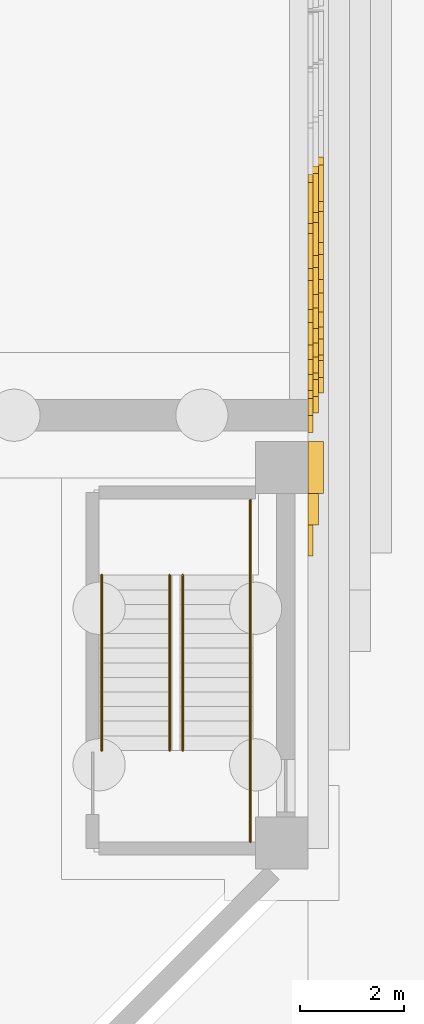
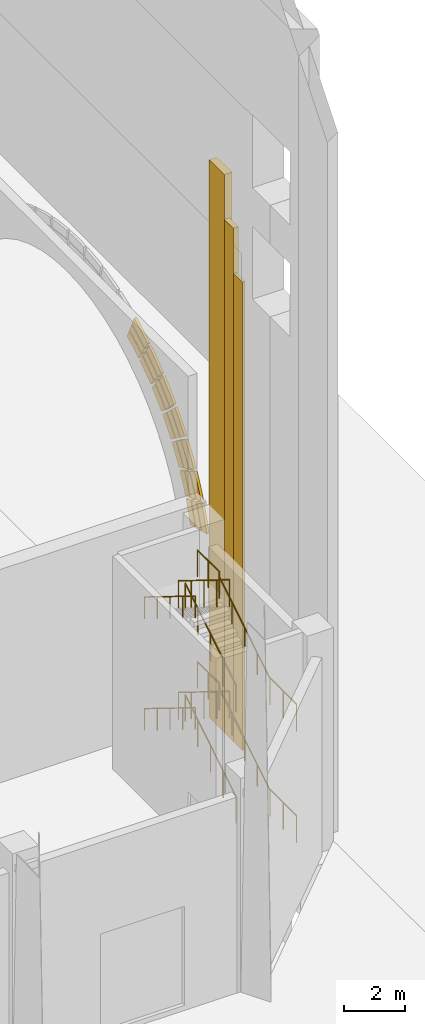
# One storey, part 24 of 32: 24 coverings, 12 railings.
"""IFC4 building model written with IfcOpenShell, lengths in metres."""

from ifc_helpers import new_model, si_unit, direction, frame, origin, origin_2d, place, context, subcontext, project, spatial, polyline, rectangle, circle, outline, extrude, material, type_object, element, save


model = new_model("IFC4")

# Units and contexts
model_context = context("Model", 3, precision=1e-05, world=origin(), true_north=direction((0.0, 1.0)))
body_context = subcontext(model_context, "Body", "Model", "MODEL_VIEW")
ifc_project = project(units=[si_unit("LENGTHUNIT", "METRE"), si_unit("AREAUNIT", "SQUARE_METRE"), si_unit("VOLUMEUNIT", "CUBIC_METRE"), si_unit("PLANEANGLEUNIT", "RADIAN"), si_unit("MASSUNIT", "GRAM", prefix="KILO")], contexts=[model_context])

# Site, building, storey
site_placement = place(None, origin())
site = spatial("IfcSite", under=ifc_project, at=site_placement, CompositionType="ELEMENT")
building_placement = place(site_placement, origin())
building = spatial("IfcBuilding", under=site, at=building_placement, Name="Isthmus Gate Tower", CompositionType="ELEMENT")
storey_placement = place(building_placement, origin())
storey = spatial("IfcBuildingStorey", under=building, at=storey_placement, Name="L00", CompositionType="ELEMENT", Elevation=0.0)

# Coverings
ifc_material_1 = material(Name="Precast concrete C50/60, limestone-faced", Category="masonry")
covering_type_1 = type_object("IfcCoveringType", Name="ARCHIVOLT BAND 350 X 100", PredefinedType="CLADDING", material=ifc_material_1)
covering_1_placement = place(storey_placement, frame((52.10009765625, -26.293701171875, 7.206298828125), z_axis=(1.0, 0.0, 0.0), x_axis=(0.0, 0.266661345586, 0.963790291905)))
element("IfcCovering", 1, at=covering_1_placement, inside=storey, type_object=covering_type_1, Name="ARCHIVOLT BAND", PredefinedType="CLADDING", context=body_context, shape_type="SweptSolid", body=[
    extrude(outline(polyline([(0.0, 0.0), (0.25635277152634467, 1.3877787807814457e-17), (0.512475822934247, -0.007409636370976164), (0.7684342570912814, -0.0224642094771631), (1.0237574732689791, -0.04529392505371038), (1.0602076387831374, 0.3027106634444202), (0.7944958650224343, 0.3264657697814948), (0.5279786757857345, 0.3421453304163997), (0.26129686929816714, 0.35017995431609383), (-0.005589546201778178, 0.34979863752029866), (0.0, 0.0)])), origin(), (0.0, 0.0, -1.0), 0.10009765625),
])
covering_2_placement = place(storey_placement, frame((52.10009765625, -25.940673828125, 8.27197265625), z_axis=(1.0, 0.0, 0.0), x_axis=(0.0, 0.389085218995, 0.921201765282)))
element("IfcCovering", 2, at=covering_2_placement, inside=storey, type_object=covering_type_1, Name="ARCHIVOLT BAND", PredefinedType="CLADDING", context=body_context, shape_type="SweptSolid", body=[
    extrude(outline(polyline([(0.0, 0.0), (0.24408715234722822, 0.0), (0.48817015339459724, -0.00689237873688725), (0.7317991975926528, -0.020867119227749475), (0.975104196207578, -0.041604327189315615), (1.0097931904137258, 0.3067124410531946), (0.7565868532462914, 0.3283031074269988), (0.5029265592295437, 0.3428114120468282), (0.24913220264675318, 0.35010744364649937), (-0.005021119276806943, 0.35009621071746844), (0.0, 0.0)])), origin(), (0.0, 0.0, -1.0), 0.10009765625),
])
covering_3_placement = place(storey_placement, frame((52.10009765625, -25.4755859375, 9.23974609375), z_axis=(1.0, 0.0, 0.0), x_axis=(0.0, 0.501193999624, 0.865334949451)))
element("IfcCovering", 3, at=covering_3_placement, inside=storey, type_object=covering_type_1, Name="ARCHIVOLT BAND", PredefinedType="CLADDING", context=body_context, shape_type="SweptSolid", body=[
    extrude(outline(polyline([(0.0, 0.0), (0.24404612428869768, 0.0), (0.4881936061697516, -0.006994650813233472), (0.7317751951797464, -0.020806149241542837), (0.9750356149513111, -0.041857022115714626), (1.009978828092515, 0.30650389387445703), (0.7567211304223476, 0.3282535235479815), (0.5029310000983567, 0.3426414169593291), (0.24903096395132884, 0.34991229774112875), (-0.004856616202421421, 0.34985490247798723), (0.0, 0.0)])), origin(), (0.0, 0.0, -1.0), 0.10009765625),
])
covering_4_placement = place(storey_placement, frame((52.10009765625, -24.89306640625, 10.1416015625), z_axis=(1.0, 0.0, 0.0), x_axis=(0.0, 0.605742008845, 0.795661120529)))
element("IfcCovering", 4, at=covering_4_placement, inside=storey, type_object=covering_type_1, Name="ARCHIVOLT BAND", PredefinedType="CLADDING", context=body_context, shape_type="SweptSolid", body=[
    extrude(outline(polyline([(0.0, 0.0), (0.24424460676285004, 0.0), (0.48809826675231693, -0.006741269455640769), (0.7318567524336569, -0.020612314773430396), (0.9750300381383595, -0.04137251577948886), (1.0098770128939623, 0.3070318299442861), (0.7566889496074254, 0.32845239422673334), (0.5030635725768794, 0.3427895496176578), (0.24900088180232438, 0.35004329611705925), (-0.005009097047729588, 0.34997301355105775), (0.0, 0.0)])), origin(), (0.0, 0.0, -1.0), 0.10009765625),
])
covering_5_placement = place(storey_placement, frame((52.10009765625, -24.2021484375, 10.963623046875), z_axis=(1.0, 0.0, 0.0), x_axis=(0.0, 0.700071410926, 0.714072839145)))
element("IfcCovering", 5, at=covering_5_placement, inside=storey, type_object=covering_type_1, Name="ARCHIVOLT BAND", PredefinedType="CLADDING", context=body_context, shape_type="SweptSolid", body=[
    extrude(outline(polyline([(0.0, 0.0), (0.2441157213861009, -1.3877787807814457e-17), (0.48816307642347856, -0.006905001221048063), (0.7319677309228887, -0.020885919534952224), (0.9750135189514708, -0.04176500243503212), (1.0100546909895716, 0.30645215815195814), (0.7568325719535339, 0.3282952065690359), (0.5030190840010403, 0.3427205061496412), (0.24930814557163158, 0.3500664703199542), (-0.004819827584988945, 0.3501656015256029), (0.0, 0.0)])), origin(), (0.0, 0.0, -1.0), 0.10009765625),
])
covering_6_placement = place(storey_placement, frame((52.10009765625, -23.4140625, 11.69287109375), z_axis=(1.0, 0.0, 0.0), x_axis=(0.0, 0.783883601927, 0.620907802037)))
element("IfcCovering", 6, at=covering_6_placement, inside=storey, type_object=covering_type_1, Name="ARCHIVOLT BAND", PredefinedType="CLADDING", context=body_context, shape_type="SweptSolid", body=[
    extrude(outline(polyline([(0.0, 0.0), (0.24417687719128714, 0.0), (0.4881206347014019, -0.006978700068101473), (0.7318312725303443, -0.020936100204304475), (0.9749658240267559, -0.04191198942225399), (1.0098070860303305, 0.30641080020231704), (0.7566791453951589, 0.32813901911385124), (0.5031664962599584, 0.34269716012478213), (0.24911754980587228, 0.34989384540260815), (-0.004821549678027948, 0.35015161962597785), (0.0, 0.0)])), origin(), (0.0, 0.0, -1.0), 0.10009765625),
])
covering_7_placement = place(storey_placement, frame((52.10009765625, -22.541015625, 12.31787109375), z_axis=(1.0, 0.0, 0.0), x_axis=(0.0, 0.855278438455, 0.518168691368)))
element("IfcCovering", 7, at=covering_7_placement, inside=storey, type_object=covering_type_1, Name="ARCHIVOLT BAND", PredefinedType="CLADDING", context=body_context, shape_type="SweptSolid", body=[
    extrude(outline(polyline([(0.0, 0.0), (0.24406114428897085, -1.3877787807814457e-17), (0.4880917610614924, -0.007117795735325783), (0.7318830421050512, -0.021226881177811296), (0.9750173709946204, -0.042074244271124495), (1.0100903125331897, 0.3060512960715064), (0.7569529712736357, 0.32782083438172094), (0.5032409800444395, 0.34251678080042836), (0.2493719552706279, 0.34988612327129665), (-0.004862911260312436, 0.35005536782249175), (0.0, 0.0)])), origin(), (0.0, 0.0, -1.0), 0.10009765625),
])
ifc_material_2 = material(Name="Precast concrete C50/60, limestone-faced", Category="masonry")
covering_type_2 = type_object("IfcCoveringType", Name="ARCHIVOLT BAND 350 X 200", PredefinedType="CLADDING", material=ifc_material_2)
covering_8_placement = place(storey_placement, frame((52.199951171875, -25.916259765625, 7.108154296875), z_axis=(1.0, 0.0, 0.0), x_axis=(0.0, 0.26599308427, 0.963974936977)))
element("IfcCovering", 8, at=covering_8_placement, inside=storey, type_object=covering_type_2, Name="ARCHIVOLT BAND", PredefinedType="CLADDING", context=body_context, shape_type="SweptSolid", body=[
    extrude(outline(polyline([(0.0, 0.0), (0.2441469725737326, 0.0), (0.4882944334160204, -0.0073445356070566264), (0.7319067519218281, -0.02192814081325037), (0.9749839280911556, -0.043750815618581296), (1.0116104172210676, 0.304463763732549), (0.7579099820966324, 0.3271540917604394), (0.5037393443535563, 0.34237000474559465), (0.2493987891532766, 0.349941096962256), (-0.005111683504206585, 0.3498673684104234), (0.0, 0.0)])), origin(), (0.0, 0.0, -1.0), 0.199951171875),
])
covering_9_placement = place(storey_placement, frame((52.199951171875, -25.578369140625, 8.12744140625), z_axis=(1.0, 0.0, 0.0), x_axis=(0.0, 0.388574790746, 0.921417186728)))
element("IfcCovering", 9, at=covering_9_placement, inside=storey, type_object=covering_type_2, Name="ARCHIVOLT BAND", PredefinedType="CLADDING", context=body_context, shape_type="SweptSolid", body=[
    extrude(outline(polyline([(0.0, 0.0), (0.23184183012006357, 0.0), (0.46367569039280887, -0.006892375379179527), (0.6949920247735669, -0.020097126926250236), (0.9262055224147347, -0.03996929848464703), (0.9610874873918581, 0.3083281977413169), (0.7202929478149267, 0.3289292246915589), (0.47885079387042656, 0.3428980532137842), (0.23695075934290127, 0.3497847725722863), (-0.0048271565563607205, 0.35009893881173415), (0.0, 0.0)])), origin(), (0.0, 0.0, -1.0), 0.199951171875),
])
covering_10_placement = place(storey_placement, frame((52.199951171875, -25.13427734375, 9.051025390625), z_axis=(1.0, 0.0, 0.0), x_axis=(0.0, 0.501119266826, 0.865378229687)))
element("IfcCovering", 10, at=covering_10_placement, inside=storey, type_object=covering_type_2, Name="ARCHIVOLT BAND", PredefinedType="CLADDING", context=body_context, shape_type="SweptSolid", body=[
    extrude(outline(polyline([(0.0, 0.0), (0.2319027528837119, 0.0), (0.4637839157254822, -0.006783385558604971), (0.695187527401449, -0.020049952283103134), (0.9263248618934692, -0.03967735660249194), (0.9610868856139226, 0.3085581967973776), (0.720041264016559, 0.32921883883825753), (0.47855150441353955, 0.3428514081785276), (0.23691781119757593, 0.3499118659420498), (-0.004826402471183849, 0.3498553205941075), (0.0, 0.0)])), origin(), (0.0, 0.0, -1.0), 0.199951171875),
])
covering_11_placement = place(storey_placement, frame((52.199951171875, -24.577880859375, 9.911865234375), z_axis=(1.0, 0.0, 0.0), x_axis=(0.0, 0.605884466076, 0.795552646761)))
element("IfcCovering", 11, at=covering_11_placement, inside=storey, type_object=covering_type_2, Name="ARCHIVOLT BAND", PredefinedType="CLADDING", context=body_context, shape_type="SweptSolid", body=[
    extrude(outline(polyline([(0.0, 0.0), (0.23169575593211794, 0.0), (0.4635844523149649, -0.006297576311795089), (0.6950834089873392, -0.019336491972061998), (0.926192625949241, -0.039116746980800754), (0.960782989955939, 0.3091459116637597), (0.7196588773315299, 0.3295847367443201), (0.47833925171704855, 0.3434301434886343), (0.23658358068391971, 0.3501920631518506), (-0.005071761314830087, 0.3499721110380195), (0.0, 0.0)])), origin(), (0.0, 0.0, -1.0), 0.199951171875),
])
covering_12_placement = place(storey_placement, frame((52.199951171875, -23.91845703125, 10.6962890625), z_axis=(1.0, 0.0, 0.0), x_axis=(0.0, 0.700229309304, 0.713918002569)))
element("IfcCovering", 12, at=covering_12_placement, inside=storey, type_object=covering_type_2, Name="ARCHIVOLT BAND", PredefinedType="CLADDING", context=body_context, shape_type="SweptSolid", body=[
    extrude(outline(polyline([(0.0, 0.0), (0.23185764072966797, 0.0), (0.4634774877155381, -0.006730719783907435), (0.6952081337323022, -0.01985025050928868), (0.9263557351967057, -0.039697159052448305), (0.9609746481789032, 0.30853108425688236), (0.7201667080070031, 0.3291620694687807), (0.4786014268953967, 0.34289472244168384), (0.2367983520399925, 0.3498966556306796), (-0.004900607716775918, 0.34981927626107623), (0.0, 0.0)])), origin(), (0.0, 0.0, -1.0), 0.199951171875),
])
covering_13_placement = place(storey_placement, frame((52.199951171875, -23.166015625, 11.39208984375), z_axis=(1.0, 0.0, 0.0), x_axis=(0.0, 0.784451331164, 0.620190381283)))
element("IfcCovering", 13, at=covering_13_placement, inside=storey, type_object=covering_type_2, Name="ARCHIVOLT BAND", PredefinedType="CLADDING", context=body_context, shape_type="SweptSolid", body=[
    extrude(outline(polyline([(0.0, 0.0), (0.23186239655576857, 1.3877787807814457e-17), (0.46360936911048434, -0.006444463880605433), (0.6952409176641474, -0.019333391641816355), (0.9262626984438747, -0.038898402492872186), (0.9606338579912228, 0.30926460055795846), (0.719769417629517, 0.3297643144554015), (0.47833531226484244, 0.34324501515742195), (0.23663436923180983, 0.3500897355405645), (-0.005293308698613719, 0.34995554549925145), (0.0, 0.0)])), origin(), (0.0, 0.0, -1.0), 0.199951171875),
])
covering_14_placement = place(storey_placement, frame((52.199951171875, -22.33251953125, 11.98828125), z_axis=(1.0, 0.0, 0.0), x_axis=(0.0, 0.855536878754, 0.517741874965)))
element("IfcCovering", 14, at=covering_14_placement, inside=storey, type_object=covering_type_2, Name="ARCHIVOLT BAND", PredefinedType="CLADDING", context=body_context, shape_type="SweptSolid", body=[
    extrude(outline(polyline([(0.0, 0.0), (0.2320020715111297, 0.0), (0.4636858262313976, -0.006656135123201845), (0.6951776659857465, -0.019759534061316142), (0.9263511889492335, -0.03951906812263223), (0.9610415532104878, 0.30875033079356046), (0.720073430299612, 0.3293006470036035), (0.4786605887729317, 0.34298595678215515), (0.2369294304553897, 0.35001513143750496), (-0.004828703861377931, 0.34992649601147807), (0.0, 0.0)])), origin(), (0.0, 0.0, -1.0), 0.199951171875),
])
ifc_material_3 = material(Name="Precast concrete C50/60, limestone-faced", Category="masonry")
covering_type_3 = type_object("IfcCoveringType", Name="ARCHIVOLT BAND 350 X 300", PredefinedType="CLADDING", material=ifc_material_3)
covering_15_placement = place(storey_placement, frame((52.300048828125, -25.538818359375, 7.010009765625), z_axis=(1.0, 0.0, 0.0), x_axis=(0.0, 0.266232466588, 0.963908851362)))
element("IfcCovering", 15, at=covering_15_placement, inside=storey, type_object=covering_type_3, Name="ARCHIVOLT BAND", PredefinedType="CLADDING", context=body_context, shape_type="SweptSolid", body=[
    extrude(outline(polyline([(0.0, 0.0), (0.23200618210316754, 6.938893903907228e-18), (0.4638846800722968, -0.006873876640499127), (0.6953351664371851, -0.020451298772870885), (0.9262523082099939, -0.04126792317673256), (0.9625569923817257, 0.30689074298394076), (0.7213167039812992, 0.32840205128808314), (0.4792427435185907, 0.3428444884693621), (0.23717109524342, 0.34994239039131264), (-0.0051985683144154665, 0.3498660882025614), (0.0, 0.0)])), origin(), (0.0, 0.0, -1.0), 0.300048828125),
])
covering_16_placement = place(storey_placement, frame((52.300048828125, -25.21630859375, 7.98291015625), z_axis=(1.0, 0.0, 0.0), x_axis=(0.0, 0.390292829474, 0.920690777222)))
element("IfcCovering", 16, at=covering_16_placement, inside=storey, type_object=covering_type_3, Name="ARCHIVOLT BAND", PredefinedType="CLADDING", context=body_context, shape_type="SweptSolid", body=[
    extrude(outline(polyline([(0.0, 0.0), (0.21956170573363723, 0.0), (0.4391967086482905, -0.005802693497105521), (0.6586460253710364, -0.01804820920552358), (0.8774943052094506, -0.03638227741700989), (0.9117265319833224, 0.31197967803743254), (0.6829758029896373, 0.33115422059123634), (0.45381460978226207, 0.3437906545984068), (0.224147666025876, 0.3501137580807264), (-0.005384899565313933, 0.34986454766527175), (0.0, 0.0)])), origin(), (0.0, 0.0, -1.0), 0.300048828125),
])
covering_17_placement = place(storey_placement, frame((52.300048828125, -24.79296875, 8.8623046875), z_axis=(1.0, 0.0, 0.0), x_axis=(0.0, 0.501518373175, 0.865146994081)))
element("IfcCovering", 17, at=covering_17_placement, inside=storey, type_object=covering_type_3, Name="ARCHIVOLT BAND", PredefinedType="CLADDING", context=body_context, shape_type="SweptSolid", body=[
    extrude(outline(polyline([(0.0, 0.0), (0.21954813176200513, 1.3877787807814457e-17), (0.4393777963985377, -0.00632729524950415), (0.6584880182988141, -0.018715556192185234), (0.87754611453669, -0.03734233586559477), (0.9120250683119853, 0.31112043215963936), (0.6833030914553265, 0.33035344414627904), (0.45419533039933957, 0.3434367139209661), (0.2246130086252485, 0.3500365829467726), (-0.004987774320942745, 0.34985305717707105), (0.0, 0.0)])), origin(), (0.0, 0.0, -1.0), 0.300048828125),
])
covering_18_placement = place(storey_placement, frame((52.300048828125, -24.262939453125, 9.681884765625), z_axis=(1.0, 0.0, 0.0), x_axis=(0.0, 0.6056748329, 0.795712257535)))
element("IfcCovering", 18, at=covering_18_placement, inside=storey, type_object=covering_type_3, Name="ARCHIVOLT BAND", PredefinedType="CLADDING", context=body_context, shape_type="SweptSolid", body=[
    extrude(outline(polyline([(0.0, 0.0), (0.2196832910951196, 0.0), (0.4392157278292638, -0.006251231073511138), (0.6585973102024327, -0.018753693220533385), (0.8774859026945006, -0.037460990585443055), (0.9120201558845458, 0.3109868077922808), (0.6833111072854583, 0.33050318376227766), (0.45406267294964586, 0.3434725889942614), (0.22461698839723448, 0.3498486276326082), (-0.004979550516152315, 0.34997343519744395), (0.0, 0.0)])), origin(), (0.0, 0.0, -1.0), 0.300048828125),
])
covering_19_placement = place(storey_placement, frame((52.300048828125, -23.634765625, 10.4287109375), z_axis=(1.0, 0.0, 0.0), x_axis=(0.0, 0.700970498417, 0.713190269388)))
element("IfcCovering", 19, at=covering_19_placement, inside=storey, type_object=covering_type_3, Name="ARCHIVOLT BAND", PredefinedType="CLADDING", context=body_context, shape_type="SweptSolid", body=[
    extrude(outline(polyline([(0.0, 0.0), (0.21977063902536753, 1.3877787807814457e-17), (0.439316442509746, -0.006040454968528619), (0.6588085458287253, -0.01829548362369815), (0.8775564407949009, -0.036759119280464214), (0.9119877392692013, 0.31167603118931203), (0.6832334422707041, 0.33091669196662554), (0.45390607229499336, 0.34377462702423045), (0.2245220188113613, 0.3500727343014921), (-0.0050898535557820646, 0.34998513251652286), (0.0, 0.0)])), origin(), (0.0, 0.0, -1.0), 0.300048828125),
])
covering_20_placement = place(storey_placement, frame((52.300048828125, -22.91796875, 11.091064453125), z_axis=(1.0, 0.0, 0.0), x_axis=(0.0, 0.784541307376, 0.620076557387)))
element("IfcCovering", 20, at=covering_20_placement, inside=storey, type_object=covering_type_3, Name="ARCHIVOLT BAND", PredefinedType="CLADDING", context=body_context, shape_type="SweptSolid", body=[
    extrude(outline(polyline([(0.0, 0.0), (0.21969943408919224, 0.0), (0.4393956125680991, -0.005910017871324974), (0.6586343778019155, -0.018304668829337845), (0.877718501547178, -0.03680087606379667), (0.9120391451752581, 0.31136711029186515), (0.6831122263339768, 0.33079659247478876), (0.45407081853099446, 0.3437815940978771), (0.224420611604653, 0.35009042422915654), (-0.0050011600000002265, 0.3499949263274531), (0.0, 0.0)])), origin(), (0.0, 0.0, -1.0), 0.300048828125),
])
covering_21_placement = place(storey_placement, frame((52.300048828125, -22.1240234375, 11.65869140625), z_axis=(1.0, 0.0, 0.0), x_axis=(0.0, 0.855525982329, 0.517759880215)))
element("IfcCovering", 21, at=covering_21_placement, inside=storey, type_object=covering_type_3, Name="ARCHIVOLT BAND", PredefinedType="CLADDING", context=body_context, shape_type="SweptSolid", body=[
    extrude(outline(polyline([(0.0, 0.0), (0.21973415785483566, 1.3877787807814457e-17), (0.43927626505667794, -0.006447259774501668), (0.6586702653990083, -0.018797635806690416), (0.8776633464403157, -0.03746886539262523), (0.9123610402637593, 0.3107998033637807), (0.6835733759197884, 0.33026202123238335), (0.4542583860540389, 0.34319451689921027), (0.22487775175605157, 0.349888621439565), (-0.004821339415684661, 0.3499265975573886), (0.0, 0.0)])), origin(), (0.0, 0.0, -1.0), 0.300048828125),
])
ifc_material_4 = material(Name="Precast concrete C50/60, limestone-faced", Category="masonry")
covering_type_4 = type_object("IfcCoveringType", Name="PORTAL RELIEF BAND 1000 X 300", PredefinedType="CLADDING", material=ifc_material_4)
covering_22_placement = place(storey_placement, frame((52.14990234375, -27.300048828125, 0.0), z_axis=(0.0, 0.0, 1.0), x_axis=(1.0, 0.0, 0.0)))
element("IfcCovering", 22, at=covering_22_placement, inside=storey, type_object=covering_type_4, Name="PORTAL RELIEF", PredefinedType="CLADDING", context=body_context, shape_type="SweptSolid", body=[
    extrude(rectangle(XDim=0.300048828125, YDim=1.0, at=origin_2d()), origin(), (0.0, 0.0, 1.0), 22.5),
])
ifc_material_5 = material(Name="Precast concrete C50/60, limestone-faced", Category="masonry")
covering_type_5 = type_object("IfcCoveringType", Name="PORTAL RELIEF BAND 600 X 100", PredefinedType="CLADDING", material=ifc_material_5)
covering_23_placement = place(storey_placement, frame((52.050048828125, -28.699951171875, 0.0), z_axis=(0.0, 0.0, 1.0), x_axis=(1.0, 0.0, 0.0)))
element("IfcCovering", 23, at=covering_23_placement, inside=storey, type_object=covering_type_5, Name="PORTAL RELIEF", PredefinedType="CLADDING", context=body_context, shape_type="SweptSolid", body=[
    extrude(rectangle(XDim=0.10009765625, YDim=0.60009765625, at=origin_2d()), origin(), (0.0, 0.0, 1.0), 18.89990234375),
])
ifc_material_6 = material(Name="Precast concrete C50/60, limestone-faced", Category="masonry")
covering_type_6 = type_object("IfcCoveringType", Name="PORTAL RELIEF BAND 600 X 200", PredefinedType="CLADDING", material=ifc_material_6)
covering_24_placement = place(storey_placement, frame((52.10009765625, -28.10009765625, 0.0), z_axis=(0.0, 0.0, 1.0), x_axis=(1.0, 0.0, 0.0)))
element("IfcCovering", 24, at=covering_24_placement, inside=storey, type_object=covering_type_6, Name="PORTAL RELIEF", PredefinedType="CLADDING", context=body_context, shape_type="SweptSolid", body=[
    extrude(rectangle(XDim=0.199951171875, YDim=0.60009765625, at=origin_2d()), origin(), (0.0, 0.0, 1.0), 20.699951171875),
])

# Railings
ifc_material_7 = material(Name="Painted steel balusters with timber handrail", Category="steel")
railing_type_1 = type_object("IfcRailingType", Name="Podium stair guard 1100", PredefinedType="GUARDRAIL", material=ifc_material_7)
railing_1_placement = place(storey_placement, frame((49.60009765625, -32.72509765625, 0.173095703125)))
element("IfcRailing", 25, at=railing_1_placement, inside=storey, type_object=railing_type_1, Name="L00 ST4 stair guard 1", PredefinedType="GUARDRAIL", context=body_context, shape_type="SweptSolid", body=[
    extrude(circle(Radius=0.02392578125, at=origin_2d()), frame((0.0, 0.0, 1.076171875), z_axis=(0.0, 0.850623216509, 0.525775754039), x_axis=(-1.0, 0.0, 0.0)), (0.0, 0.0, 1.0), 3.9501953125),
    extrude(circle(Radius=0.02099609375, at=origin_2d()), origin(), (0.0, 0.0, 1.0), 1.052001953125),
    extrude(circle(Radius=0.02099609375, at=origin_2d()), frame((0.0, 0.840087890625, 0.519287109375)), (0.0, 0.0, 1.0), 1.052001953125),
    extrude(circle(Radius=0.02099609375, at=origin_2d()), frame((0.0, 1.68017578125, 1.03857421875)), (0.0, 0.0, 1.0), 1.052001953125),
    extrude(circle(Radius=0.02099609375, at=origin_2d()), frame((0.0, 2.52001953125, 1.5576171875)), (0.0, 0.0, 1.0), 1.052001953125),
    extrude(circle(Radius=0.02099609375, at=origin_2d()), frame((0.0, 3.360107421875, 2.076904296875)), (0.0, 0.0, 1.0), 1.052001953125),
])
railing_2_placement = place(storey_placement, frame((50.89990234375, -29.364990234375, 2.25)))
element("IfcRailing", 26, at=railing_2_placement, inside=storey, type_object=railing_type_1, Name="L00 ST4 stair guard 2", PredefinedType="GUARDRAIL", context=body_context, shape_type="SweptSolid", body=[
    extrude(circle(Radius=0.02392578125, at=origin_2d()), frame((0.0, 0.0, 1.076171875), z_axis=(0.0, 1.0, 0.0), x_axis=(-1.0, 0.0, 0.0)), (0.0, 0.0, 1.0), 1.43603515625),
    extrude(circle(Radius=0.02099609375, at=origin_2d()), origin(), (0.0, 0.0, 1.0), 1.052001953125),
    extrude(circle(Radius=0.02099609375, at=origin_2d()), frame((0.0, 0.718017578125, 0.0)), (0.0, 0.0, 1.0), 1.052001953125),
    extrude(circle(Radius=0.02099609375, at=origin_2d()), frame((0.0, 1.43603515625, 0.0)), (0.0, 0.0, 1.0), 1.052001953125),
])
railing_3_placement = place(storey_placement, frame((49.35009765625, -29.364990234375, 2.423095703125)))
element("IfcRailing", 27, at=railing_3_placement, inside=storey, type_object=railing_type_1, Name="L00 ST4 stair guard 3", PredefinedType="GUARDRAIL", context=body_context, shape_type="SweptSolid", body=[
    extrude(circle(Radius=0.02392578125, at=origin_2d()), frame((0.0, 0.0, 1.076171875), z_axis=(0.0, -0.850623216509, 0.525775754039), x_axis=(1.0, 0.0, 0.0)), (0.0, 0.0, 1.0), 3.9501953125),
    extrude(circle(Radius=0.02099609375, at=origin_2d()), origin(), (0.0, 0.0, 1.0), 1.052001953125),
    extrude(circle(Radius=0.02099609375, at=origin_2d()), frame((0.0, -0.840087890625, 0.519287109375)), (0.0, 0.0, 1.0), 1.052001953125),
    extrude(circle(Radius=0.02099609375, at=origin_2d()), frame((0.0, -1.68017578125, 1.03857421875)), (0.0, 0.0, 1.0), 1.052001953125),
    extrude(circle(Radius=0.02099609375, at=origin_2d()), frame((0.0, -2.52001953125, 1.5576171875)), (0.0, 0.0, 1.0), 1.052001953125),
    extrude(circle(Radius=0.02099609375, at=origin_2d()), frame((0.0, -3.360107421875, 2.076904296875)), (0.0, 0.0, 1.0), 1.052001953125),
])
railing_4_placement = place(storey_placement, frame((50.89990234375, -34.47509765625, 4.5)))
element("IfcRailing", 28, at=railing_4_placement, inside=storey, type_object=railing_type_1, Name="L00 ST4 stair guard 4", PredefinedType="GUARDRAIL", context=body_context, shape_type="SweptSolid", body=[
    extrude(circle(Radius=0.02392578125, at=origin_2d()), frame((0.0, 0.0, 1.076171875), z_axis=(0.0, 1.0, 0.0), x_axis=(-1.0, 0.0, 0.0)), (0.0, 0.0, 1.0), 1.75),
    extrude(circle(Radius=0.02099609375, at=origin_2d()), origin(), (0.0, 0.0, 1.0), 1.052001953125),
    extrude(circle(Radius=0.02099609375, at=origin_2d()), frame((0.0, 0.875, 0.0)), (0.0, 0.0, 1.0), 1.052001953125),
    extrude(circle(Radius=0.02099609375, at=origin_2d()), frame((0.0, 1.75, 0.0)), (0.0, 0.0, 1.0), 1.052001953125),
])
railing_5_placement = place(storey_placement, frame((49.60009765625, -32.72509765625, 4.673095703125)))
element("IfcRailing", 29, at=railing_5_placement, inside=storey, type_object=railing_type_1, Name="L00 ST4 stair guard 5", PredefinedType="GUARDRAIL", context=body_context, shape_type="SweptSolid", body=[
    extrude(circle(Radius=0.02392578125, at=origin_2d()), frame((0.0, 0.0, 1.076171875), z_axis=(0.0, 0.850623216509, 0.525775754039), x_axis=(-1.0, 0.0, 0.0)), (0.0, 0.0, 1.0), 3.9501953125),
    extrude(circle(Radius=0.02099609375, at=origin_2d()), origin(), (0.0, 0.0, 1.0), 1.052001953125),
    extrude(circle(Radius=0.02099609375, at=origin_2d()), frame((0.0, 0.840087890625, 0.519287109375)), (0.0, 0.0, 1.0), 1.052001953125),
    extrude(circle(Radius=0.02099609375, at=origin_2d()), frame((0.0, 1.68017578125, 1.03857421875)), (0.0, 0.0, 1.0), 1.052001953125),
    extrude(circle(Radius=0.02099609375, at=origin_2d()), frame((0.0, 2.52001953125, 1.5576171875)), (0.0, 0.0, 1.0), 1.052001953125),
    extrude(circle(Radius=0.02099609375, at=origin_2d()), frame((0.0, 3.360107421875, 2.076904296875)), (0.0, 0.0, 1.0), 1.052001953125),
])
railing_6_placement = place(storey_placement, frame((50.89990234375, -29.364990234375, 6.75)))
element("IfcRailing", 30, at=railing_6_placement, inside=storey, type_object=railing_type_1, Name="L00 ST4 stair guard 6", PredefinedType="GUARDRAIL", context=body_context, shape_type="SweptSolid", body=[
    extrude(circle(Radius=0.02392578125, at=origin_2d()), frame((0.0, 0.0, 1.076171875), z_axis=(0.0, 1.0, 0.0), x_axis=(-1.0, 0.0, 0.0)), (0.0, 0.0, 1.0), 1.43603515625),
    extrude(circle(Radius=0.02099609375, at=origin_2d()), origin(), (0.0, 0.0, 1.0), 1.052001953125),
    extrude(circle(Radius=0.02099609375, at=origin_2d()), frame((0.0, 0.718017578125, 0.0)), (0.0, 0.0, 1.0), 1.052001953125),
    extrude(circle(Radius=0.02099609375, at=origin_2d()), frame((0.0, 1.43603515625, 0.0)), (0.0, 0.0, 1.0), 1.052001953125),
])
railing_7_placement = place(storey_placement, frame((49.35009765625, -29.364990234375, 6.923095703125)))
element("IfcRailing", 31, at=railing_7_placement, inside=storey, type_object=railing_type_1, Name="L00 ST4 stair guard 7", PredefinedType="GUARDRAIL", context=body_context, shape_type="SweptSolid", body=[
    extrude(circle(Radius=0.02392578125, at=origin_2d()), frame((0.0, 0.0, 1.076171875), z_axis=(0.0, -0.850623216509, 0.525775754039), x_axis=(1.0, 0.0, 0.0)), (0.0, 0.0, 1.0), 3.9501953125),
    extrude(circle(Radius=0.02099609375, at=origin_2d()), origin(), (0.0, 0.0, 1.0), 1.052001953125),
    extrude(circle(Radius=0.02099609375, at=origin_2d()), frame((0.0, -0.840087890625, 0.519287109375)), (0.0, 0.0, 1.0), 1.052001953125),
    extrude(circle(Radius=0.02099609375, at=origin_2d()), frame((0.0, -1.68017578125, 1.03857421875)), (0.0, 0.0, 1.0), 1.052001953125),
    extrude(circle(Radius=0.02099609375, at=origin_2d()), frame((0.0, -2.52001953125, 1.5576171875)), (0.0, 0.0, 1.0), 1.052001953125),
    extrude(circle(Radius=0.02099609375, at=origin_2d()), frame((0.0, -3.360107421875, 2.076904296875)), (0.0, 0.0, 1.0), 1.052001953125),
])
railing_8_placement = place(storey_placement, frame((50.89990234375, -34.47509765625, 0.0)))
element("IfcRailing", 32, at=railing_8_placement, inside=storey, type_object=railing_type_1, Name="L00 ST4 stair guard 8", PredefinedType="GUARDRAIL", context=body_context, shape_type="SweptSolid", body=[
    extrude(circle(Radius=0.02392578125, at=origin_2d()), frame((0.0, 0.0, 1.076171875), z_axis=(0.0, 1.0, 0.0), x_axis=(-1.0, 0.0, 0.0)), (0.0, 0.0, 1.0), 1.75),
    extrude(circle(Radius=0.02099609375, at=origin_2d()), origin(), (0.0, 0.0, 1.0), 1.052001953125),
    extrude(circle(Radius=0.02099609375, at=origin_2d()), frame((0.0, 0.875, 0.0)), (0.0, 0.0, 1.0), 1.052001953125),
    extrude(circle(Radius=0.02099609375, at=origin_2d()), frame((0.0, 1.75, 0.0)), (0.0, 0.0, 1.0), 1.052001953125),
])
ifc_material_8 = material(Name="Stainless steel tube", Category="steel")
railing_type_2 = type_object("IfcRailingType", Name="Podium stair handrail 900", PredefinedType="HANDRAIL", material=ifc_material_8)
railing_9_placement = place(storey_placement, frame((50.89990234375, -32.72509765625, 0.173095703125)))
element("IfcRailing", 33, at=railing_9_placement, inside=storey, type_object=railing_type_2, Name="L00 ST4 stair handrail 1", PredefinedType="HANDRAIL", context=body_context, shape_type="SweptSolid", body=[
    extrude(circle(Radius=0.02392578125, at=origin_2d()), frame((0.0, 0.0, 0.8759765625), z_axis=(0.0, 0.850623216509, 0.525775754039), x_axis=(-1.0, 0.0, 0.0)), (0.0, 0.0, 1.0), 3.9501953125),
    extrude(circle(Radius=0.02099609375, at=origin_2d()), origin(), (0.0, 0.0, 1.0), 0.851806640625),
    extrude(circle(Radius=0.02099609375, at=origin_2d()), frame((0.0, 0.840087890625, 0.519287109375)), (0.0, 0.0, 1.0), 0.851806640625),
    extrude(circle(Radius=0.02099609375, at=origin_2d()), frame((0.0, 1.68017578125, 1.03857421875)), (0.0, 0.0, 1.0), 0.851806640625),
    extrude(circle(Radius=0.02099609375, at=origin_2d()), frame((0.0, 2.52001953125, 1.5576171875)), (0.0, 0.0, 1.0), 0.851806640625),
    extrude(circle(Radius=0.02099609375, at=origin_2d()), frame((0.0, 3.360107421875, 2.076904296875)), (0.0, 0.0, 1.0), 0.851806640625),
])
railing_10_placement = place(storey_placement, frame((48.050048828125, -29.364990234375, 2.423095703125)))
element("IfcRailing", 34, at=railing_10_placement, inside=storey, type_object=railing_type_2, Name="L00 ST4 stair handrail 2", PredefinedType="HANDRAIL", context=body_context, shape_type="SweptSolid", body=[
    extrude(circle(Radius=0.02392578125, at=origin_2d()), frame((0.0, 0.0, 0.8759765625), z_axis=(0.0, -0.850623216509, 0.525775754039), x_axis=(1.0, 0.0, 0.0)), (0.0, 0.0, 1.0), 3.9501953125),
    extrude(circle(Radius=0.02099609375, at=origin_2d()), origin(), (0.0, 0.0, 1.0), 0.851806640625),
    extrude(circle(Radius=0.02099609375, at=origin_2d()), frame((0.0, -0.840087890625, 0.519287109375)), (0.0, 0.0, 1.0), 0.851806640625),
    extrude(circle(Radius=0.02099609375, at=origin_2d()), frame((0.0, -1.68017578125, 1.03857421875)), (0.0, 0.0, 1.0), 0.851806640625),
    extrude(circle(Radius=0.02099609375, at=origin_2d()), frame((0.0, -2.52001953125, 1.5576171875)), (0.0, 0.0, 1.0), 0.851806640625),
    extrude(circle(Radius=0.02099609375, at=origin_2d()), frame((0.0, -3.360107421875, 2.076904296875)), (0.0, 0.0, 1.0), 0.851806640625),
])
railing_11_placement = place(storey_placement, frame((50.89990234375, -32.72509765625, 4.673095703125)))
element("IfcRailing", 35, at=railing_11_placement, inside=storey, type_object=railing_type_2, Name="L00 ST4 stair handrail 3", PredefinedType="HANDRAIL", context=body_context, shape_type="SweptSolid", body=[
    extrude(circle(Radius=0.02392578125, at=origin_2d()), frame((0.0, 0.0, 0.8759765625), z_axis=(0.0, 0.850623216509, 0.525775754039), x_axis=(-1.0, 0.0, 0.0)), (0.0, 0.0, 1.0), 3.9501953125),
    extrude(circle(Radius=0.02099609375, at=origin_2d()), origin(), (0.0, 0.0, 1.0), 0.851806640625),
    extrude(circle(Radius=0.02099609375, at=origin_2d()), frame((0.0, 0.840087890625, 0.519287109375)), (0.0, 0.0, 1.0), 0.851806640625),
    extrude(circle(Radius=0.02099609375, at=origin_2d()), frame((0.0, 1.68017578125, 1.03857421875)), (0.0, 0.0, 1.0), 0.851806640625),
    extrude(circle(Radius=0.02099609375, at=origin_2d()), frame((0.0, 2.52001953125, 1.5576171875)), (0.0, 0.0, 1.0), 0.851806640625),
    extrude(circle(Radius=0.02099609375, at=origin_2d()), frame((0.0, 3.360107421875, 2.076904296875)), (0.0, 0.0, 1.0), 0.851806640625),
])
railing_12_placement = place(storey_placement, frame((48.050048828125, -29.364990234375, 6.923095703125)))
element("IfcRailing", 36, at=railing_12_placement, inside=storey, type_object=railing_type_2, Name="L00 ST4 stair handrail 4", PredefinedType="HANDRAIL", context=body_context, shape_type="SweptSolid", body=[
    extrude(circle(Radius=0.02392578125, at=origin_2d()), frame((0.0, 0.0, 0.8759765625), z_axis=(0.0, -0.850623216509, 0.525775754039), x_axis=(1.0, 0.0, 0.0)), (0.0, 0.0, 1.0), 3.9501953125),
    extrude(circle(Radius=0.02099609375, at=origin_2d()), origin(), (0.0, 0.0, 1.0), 0.851806640625),
    extrude(circle(Radius=0.02099609375, at=origin_2d()), frame((0.0, -0.840087890625, 0.519287109375)), (0.0, 0.0, 1.0), 0.851806640625),
    extrude(circle(Radius=0.02099609375, at=origin_2d()), frame((0.0, -1.68017578125, 1.03857421875)), (0.0, 0.0, 1.0), 0.851806640625),
    extrude(circle(Radius=0.02099609375, at=origin_2d()), frame((0.0, -2.52001953125, 1.5576171875)), (0.0, 0.0, 1.0), 0.851806640625),
    extrude(circle(Radius=0.02099609375, at=origin_2d()), frame((0.0, -3.360107421875, 2.076904296875)), (0.0, 0.0, 1.0), 0.851806640625),
])

save(model, "model.ifc")
